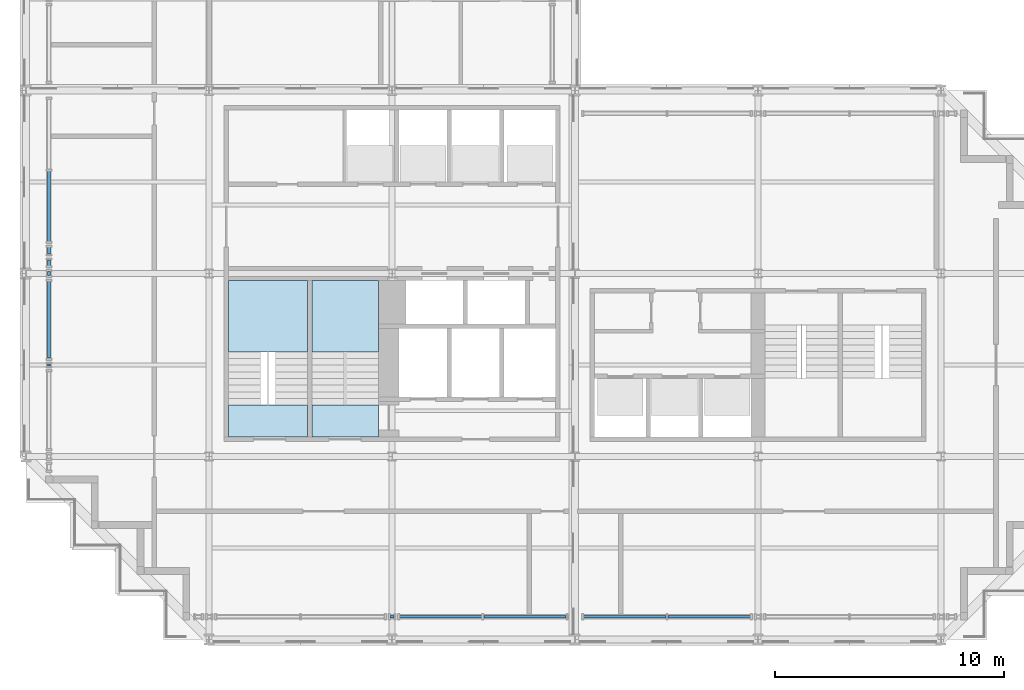
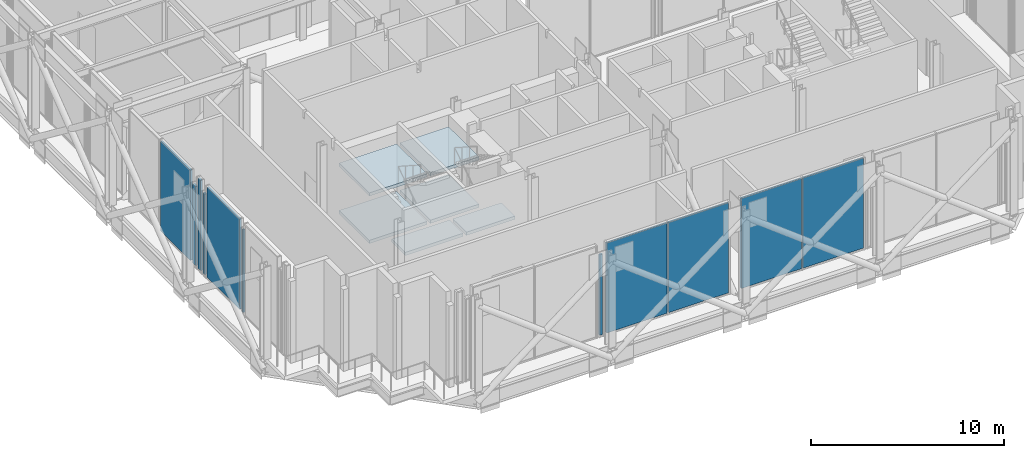
# One storey, part 10 of 23: 11 plates, 6 slabs, 11 elements without a shape of their own.
"""IFC4 building model written with IfcOpenShell, lengths in metres."""

from ifc_helpers import new_model, si_unit, direction, frame, origin, origin_2d, place, context, subcontext, project, spatial, polyline, rectangle, outline, extrude, material, layer, layer_set, type_object, element, aggregate, save


model = new_model("IFC4")

# Units and contexts
model_context = context("Model", 3, precision=1e-05, world=origin(), true_north=direction((0.0, 1.0)))
body_context = subcontext(model_context, "Body", "Model", "MODEL_VIEW")
ifc_project = project(units=[si_unit("LENGTHUNIT", "METRE"), si_unit("AREAUNIT", "SQUARE_METRE"), si_unit("VOLUMEUNIT", "CUBIC_METRE"), si_unit("PLANEANGLEUNIT", "RADIAN"), si_unit("MASSUNIT", "GRAM", prefix="KILO")], contexts=[model_context])

# Site, building, storey
site_placement = place(None, origin())
site = spatial("IfcSite", under=ifc_project, at=site_placement, CompositionType="ELEMENT")
building_placement = place(site_placement, origin())
building = spatial("IfcBuilding", under=site, at=building_placement, Name="Immortelle Media Tower", CompositionType="ELEMENT")
storey_placement = place(building_placement, frame((0.0, 0.0, 183.0)))
storey = spatial("IfcBuildingStorey", under=building, at=storey_placement, Name="L38", CompositionType="ELEMENT", Elevation=183.0)

# Curtain wall, plate
ifc_material_1 = material(Name="Aluminium curtain wall system", Category="aluminium")
curtain_wall_type = type_object("IfcCurtainWallType", Name="Plant louvre wall curtain wall", PredefinedType="NOTDEFINED", material=ifc_material_1)
curtain_wall_1_placement = place(storey_placement, origin())
curtain_wall_1 = element("IfcCurtainWall", 1, at=curtain_wall_1_placement, inside=storey, type_object=curtain_wall_type, Name="Plant louvre wall L38 S 7-5", PredefinedType="NOTDEFINED")
ifc_material_2 = material(Name="Pale aluminium louvre panel", Category="aluminium")
ifc_layer_1 = layer(ifc_material_2, 0.1201171875)
ifc_layer_set_1 = layer_set([ifc_layer_1], Name="Pale aluminium louvre panel")
plate_type = type_object("IfcPlateType", Name="Dust and storm rated louvre panel 120 mm", PredefinedType="CURTAIN_PANEL", material=ifc_layer_set_1)
plate_1_placement = place(storey_placement, frame((16.0, 1.0, 0.080078125), z_axis=(0.0, 0.0, 1.0), x_axis=(1.0, 0.0, 0.0)))
plate_1 = element("IfcPlate", 2, at=plate_1_placement, type_object=plate_type, Name="CW6 panel 1.1", PredefinedType="CURTAIN_PANEL", context=body_context, shape_type="SweptSolid", body=[
    extrude(rectangle(XDim=0.16796875, YDim=0.1201171875, at=origin_2d()), origin(), (0.0, 0.0, 1.0), 5.08740234375),
])
aggregate(curtain_wall_1, [plate_1])

# Curtain wall, plates
curtain_wall_2_placement = place(storey_placement, origin())
curtain_wall_2 = element("IfcCurtainWall", 3, at=curtain_wall_2_placement, inside=storey, type_object=curtain_wall_type, Name="Plant louvre wall L38 S 7-6", PredefinedType="NOTDEFINED")
plate_2_placement = place(storey_placement, frame((18.131591796875, 1.0, 0.080078125), z_axis=(0.0, 0.0, 1.0), x_axis=(1.0, 0.0, 0.0)))
plate_2 = element("IfcPlate", 4, at=plate_2_placement, type_object=plate_type, Name="CW6 panel 1.1", PredefinedType="CURTAIN_PANEL", context=body_context, shape_type="SweptSolid", body=[
    extrude(rectangle(XDim=3.594970703125, YDim=0.1201171875, at=origin_2d()), origin(), (0.0, 0.0, 1.0), 5.689453125),
])
plate_3_placement = place(storey_placement, frame((21.806396484375, 1.0, 0.080078125), z_axis=(0.0, 0.0, 1.0), x_axis=(1.0, 0.0, 0.0)))
plate_3 = element("IfcPlate", 5, at=plate_3_placement, type_object=plate_type, Name="CW6 panel 2.1", PredefinedType="CURTAIN_PANEL", context=body_context, shape_type="SweptSolid", body=[
    extrude(rectangle(XDim=3.594970703125, YDim=0.1201171875, at=origin_2d()), origin(), (0.0, 0.0, 1.0), 5.689453125),
])
aggregate(curtain_wall_2, [plate_2, plate_3])

curtain_wall_3_placement = place(storey_placement, origin())
curtain_wall_3 = element("IfcCurtainWall", 6, at=curtain_wall_3_placement, inside=storey, type_object=curtain_wall_type, Name="Plant louvre wall L38 S 7-7", PredefinedType="NOTDEFINED")
plate_4_placement = place(storey_placement, frame((26.17578125, 1.0, 0.080078125), z_axis=(0.0, 0.0, 1.0), x_axis=(1.0, 0.0, 0.0)))
plate_4 = element("IfcPlate", 7, at=plate_4_placement, type_object=plate_type, Name="CW6 panel 1.1", PredefinedType="CURTAIN_PANEL", context=body_context, shape_type="SweptSolid", body=[
    extrude(rectangle(XDim=3.606689453125, YDim=0.1201171875, at=origin_2d()), origin(), (0.0, 0.0, 1.0), 5.689453125),
])
plate_5_placement = place(storey_placement, frame((29.862548828125, 1.0, 0.080078125), z_axis=(0.0, 0.0, 1.0), x_axis=(1.0, 0.0, 0.0)))
plate_5 = element("IfcPlate", 8, at=plate_5_placement, type_object=plate_type, Name="CW6 panel 2.1", PredefinedType="CURTAIN_PANEL", context=body_context, shape_type="SweptSolid", body=[
    extrude(rectangle(XDim=3.606689453125, YDim=0.1201171875, at=origin_2d()), origin(), (0.0, 0.0, 1.0), 5.689453125),
])
aggregate(curtain_wall_3, [plate_4, plate_5])

# Curtain wall, plate
curtain_wall_4_placement = place(storey_placement, origin())
curtain_wall_4 = element("IfcCurtainWall", 9, at=curtain_wall_4_placement, inside=storey, type_object=curtain_wall_type, Name="Plant louvre wall L38 W 36-10", PredefinedType="NOTDEFINED")
plate_6_placement = place(storey_placement, frame((1.0, 18.938232421875, 0.080078125), z_axis=(0.0, 0.0, 1.0), x_axis=(0.0, -1.0, 0.0)))
plate_6 = element("IfcPlate", 10, at=plate_6_placement, type_object=plate_type, Name="CW6 panel 2.1", PredefinedType="CURTAIN_PANEL", context=body_context, shape_type="SweptSolid", body=[
    extrude(rectangle(XDim=3.072998046875, YDim=0.1201171875, at=origin_2d()), origin(), (0.0, 0.0, 1.0), 5.689453125),
])
aggregate(curtain_wall_4, [plate_6])

curtain_wall_5_placement = place(storey_placement, origin())
curtain_wall_5 = element("IfcCurtainWall", 11, at=curtain_wall_5_placement, inside=storey, type_object=curtain_wall_type, Name="Plant louvre wall L38 W 36-11", PredefinedType="NOTDEFINED")
plate_7_placement = place(storey_placement, frame((1.0, 17.0, 0.080078125), z_axis=(0.0, 0.0, 1.0), x_axis=(0.0, -1.0, 0.0)))
plate_7 = element("IfcPlate", 12, at=plate_7_placement, type_object=plate_type, Name="CW6 panel 1.1", PredefinedType="CURTAIN_PANEL", context=body_context, shape_type="SweptSolid", body=[
    extrude(rectangle(XDim=0.303466796875, YDim=0.1201171875, at=origin_2d()), origin(), (0.0, 0.0, 1.0), 4.99658203125),
])
aggregate(curtain_wall_5, [plate_7])

curtain_wall_6_placement = place(storey_placement, origin())
curtain_wall_6 = element("IfcCurtainWall", 13, at=curtain_wall_6_placement, inside=storey, type_object=curtain_wall_type, Name="Plant louvre wall L38 W 36-12", PredefinedType="NOTDEFINED")
plate_8_placement = place(storey_placement, frame((1.0, 16.466064453125, 0.080078125), z_axis=(0.0, 0.0, 1.0), x_axis=(0.0, -1.0, 0.0)))
plate_8 = element("IfcPlate", 14, at=plate_8_placement, type_object=plate_type, Name="CW6 panel 1.1", PredefinedType="CURTAIN_PANEL", context=body_context, shape_type="SweptSolid", body=[
    extrude(rectangle(XDim=0.26416015625, YDim=0.1201171875, at=origin_2d()), origin(), (0.0, 0.0, 1.0), 5.689453125),
])
aggregate(curtain_wall_6, [plate_8])

curtain_wall_7_placement = place(storey_placement, origin())
curtain_wall_7 = element("IfcCurtainWall", 15, at=curtain_wall_7_placement, inside=storey, type_object=curtain_wall_type, Name="Plant louvre wall L38 W 36-13", PredefinedType="NOTDEFINED")
plate_9_placement = place(storey_placement, frame((1.0, 16.0, 0.080078125), z_axis=(0.0, 0.0, 1.0), x_axis=(0.0, -1.0, 0.0)))
plate_9 = element("IfcPlate", 16, at=plate_9_placement, type_object=plate_type, Name="CW6 panel 1.1", PredefinedType="CURTAIN_PANEL", context=body_context, shape_type="SweptSolid", body=[
    extrude(rectangle(XDim=0.16796875, YDim=0.1201171875, at=origin_2d()), origin(), (0.0, 0.0, 1.0), 5.08740234375),
])
aggregate(curtain_wall_7, [plate_9])

curtain_wall_8_placement = place(storey_placement, origin())
curtain_wall_8 = element("IfcCurtainWall", 17, at=curtain_wall_8_placement, inside=storey, type_object=curtain_wall_type, Name="Plant louvre wall L38 W 36-14", PredefinedType="NOTDEFINED")
plate_10_placement = place(storey_placement, frame((1.0, 13.981201171875, 0.080078125), z_axis=(0.0, 0.0, 1.0), x_axis=(0.0, -1.0, 0.0)))
plate_10 = element("IfcPlate", 18, at=plate_10_placement, type_object=plate_type, Name="CW6 panel 1.1", PredefinedType="CURTAIN_PANEL", context=body_context, shape_type="SweptSolid", body=[
    extrude(rectangle(XDim=3.369384765625, YDim=0.1201171875, at=origin_2d()), origin(), (0.0, 0.0, 1.0), 5.689453125),
])
aggregate(curtain_wall_8, [plate_10])

curtain_wall_9_placement = place(storey_placement, origin())
curtain_wall_9 = element("IfcCurtainWall", 19, at=curtain_wall_9_placement, inside=storey, type_object=curtain_wall_type, Name="Plant louvre wall L38 W 36-15", PredefinedType="NOTDEFINED")
plate_11_placement = place(storey_placement, frame((1.0, 12.0, 0.080078125), z_axis=(0.0, 0.0, 1.0), x_axis=(0.0, -1.0, 0.0)))
plate_11 = element("IfcPlate", 20, at=plate_11_placement, type_object=plate_type, Name="CW6 panel 1.1", PredefinedType="CURTAIN_PANEL", context=body_context, shape_type="SweptSolid", body=[
    extrude(rectangle(XDim=0.093017578125, YDim=0.1201171875, at=origin_2d()), origin(), (0.0, 0.0, 1.0), 5.234619140625),
])
aggregate(curtain_wall_9, [plate_11])

# Stair, slabs
ifc_material_3 = material(Name="Steel ASTM A992 Gr 50", Category="steel")
stair_type = type_object("IfcStairType", Name="Stair with flights", PredefinedType="DOUBLE_RETURN_STAIR", material=ifc_material_3)
stair_1_placement = place(storey_placement, origin())
stair_1 = element("IfcStair", 21, at=stair_1_placement, inside=storey, type_object=stair_type, Name="Exit stair SW1", PredefinedType="DOUBLE_RETURN_STAIR")
ifc_material_4 = material(Name="Steel ASTM A572 Gr 50", Category="steel")
ifc_layer_2 = layer(ifc_material_4, 0.199951171875)
ifc_layer_set_2 = layer_set([ifc_layer_2], Name="Steel ASTM A572 Gr 50")
slab_type = type_object("IfcSlabType", Name="Stair landing 200", PredefinedType="LANDING", material=ifc_layer_set_2)
slab_1_placement = place(storey_placement, frame((0.0, 0.0, 1.300048828125)))
slab_1 = element("IfcSlab", 22, at=slab_1_placement, type_object=slab_type, Name="ST SW1 landing 1", PredefinedType="LANDING", context=body_context, shape_type="SweptSolid", body=[
    extrude(outline(polyline([(8.85009765625, 12.570068359375), (12.300048828125, 12.570068359375), (12.300048828125, 15.699951171875), (8.85009765625, 15.699951171875), (8.85009765625, 12.570068359375)])), origin(), (0.0, 0.0, 1.0), 0.199951171875),
])
slab_2_placement = place(storey_placement, frame((0.0, 0.0, 2.800048828125)))
slab_2 = element("IfcSlab", 23, at=slab_2_placement, type_object=slab_type, Name="ST SW1 landing 2", PredefinedType="LANDING", context=body_context, shape_type="SweptSolid", body=[
    extrude(outline(polyline([(8.85009765625, 8.85009765625), (12.300048828125, 8.85009765625), (12.300048828125, 10.25), (8.85009765625, 10.25), (8.85009765625, 8.85009765625)])), origin(), (0.0, 0.0, 1.0), 0.199951171875),
])
slab_3_placement = place(storey_placement, frame((0.0, 0.0, 4.300048828125)))
slab_3 = element("IfcSlab", 24, at=slab_3_placement, type_object=slab_type, Name="ST SW1 landing 3", PredefinedType="LANDING", context=body_context, shape_type="SweptSolid", body=[
    extrude(outline(polyline([(8.85009765625, 12.570068359375), (12.300048828125, 12.570068359375), (12.300048828125, 15.699951171875), (8.85009765625, 15.699951171875), (8.85009765625, 12.570068359375)])), origin(), (0.0, 0.0, 1.0), 0.199951171875),
])
aggregate(stair_1, [slab_1, slab_2, slab_3])

stair_2_placement = place(storey_placement, origin())
stair_2 = element("IfcStair", 25, at=stair_2_placement, inside=storey, type_object=stair_type, Name="Exit stair SW2", PredefinedType="DOUBLE_RETURN_STAIR")
slab_4_placement = place(storey_placement, frame((0.0, 0.0, 1.300048828125)))
slab_4 = element("IfcSlab", 26, at=slab_4_placement, type_object=slab_type, Name="ST SW2 landing 1", PredefinedType="LANDING", context=body_context, shape_type="SweptSolid", body=[
    extrude(outline(polyline([(12.5, 12.570068359375), (15.39990234375, 12.570068359375), (15.39990234375, 15.699951171875), (12.5, 15.699951171875), (12.5, 12.570068359375)])), origin(), (0.0, 0.0, 1.0), 0.199951171875),
])
slab_5_placement = place(storey_placement, frame((0.0, 0.0, 2.800048828125)))
slab_5 = element("IfcSlab", 27, at=slab_5_placement, type_object=slab_type, Name="ST SW2 landing 2", PredefinedType="LANDING", context=body_context, shape_type="SweptSolid", body=[
    extrude(outline(polyline([(12.5, 8.85009765625), (15.39990234375, 8.85009765625), (15.39990234375, 10.25), (12.5, 10.25), (12.5, 8.85009765625)])), origin(), (0.0, 0.0, 1.0), 0.199951171875),
])
slab_6_placement = place(storey_placement, frame((0.0, 0.0, 4.300048828125)))
slab_6 = element("IfcSlab", 28, at=slab_6_placement, type_object=slab_type, Name="ST SW2 landing 3", PredefinedType="LANDING", context=body_context, shape_type="SweptSolid", body=[
    extrude(outline(polyline([(12.5, 12.570068359375), (15.39990234375, 12.570068359375), (15.39990234375, 15.699951171875), (12.5, 15.699951171875), (12.5, 12.570068359375)])), origin(), (0.0, 0.0, 1.0), 0.199951171875),
])
aggregate(stair_2, [slab_4, slab_5, slab_6])

save(model, "model.ifc")
